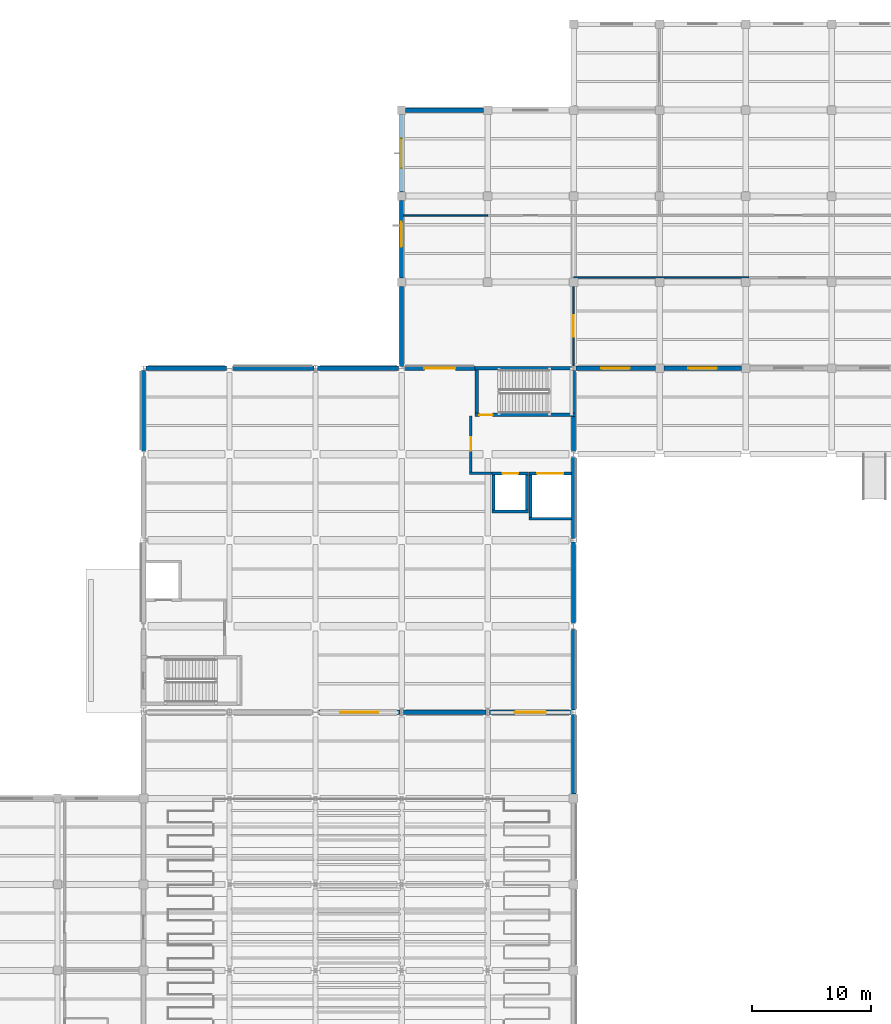
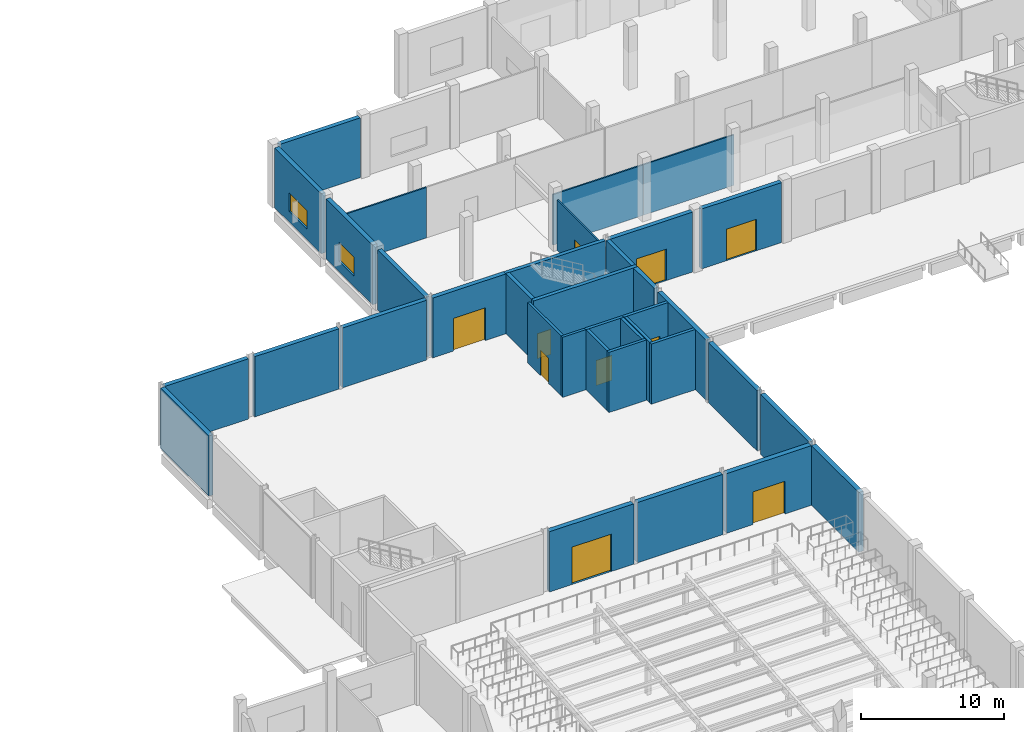
# One storey, part 28 of 46: 36 walls, 9 doors, 3 windows, 12 openings.
"""IFC4 building model written with IfcOpenShell, lengths in metres."""

from ifc_helpers import new_model, si_unit, direction, frame, frame_2d, origin, place, context, subcontext, project, spatial, rectangle, extrude, material, layer, layer_set, type_object, element, fill, save


model = new_model("IFC4")

# Units and contexts
model_context = context("Model", 3, precision=1e-05, world=origin(), true_north=direction((0.0, 1.0)))
body_context = subcontext(model_context, "Body", "Model", "MODEL_VIEW")
ifc_project = project(units=[si_unit("LENGTHUNIT", "METRE"), si_unit("AREAUNIT", "SQUARE_METRE"), si_unit("VOLUMEUNIT", "CUBIC_METRE"), si_unit("PLANEANGLEUNIT", "RADIAN"), si_unit("MASSUNIT", "GRAM", prefix="KILO"), si_unit("THERMODYNAMICTEMPERATUREUNIT", "KELVIN"), si_unit("POWERUNIT", "WATT")], contexts=[model_context])

# Site, building, storey
site_placement = place(None, origin())
site = spatial("IfcSite", under=ifc_project, at=site_placement, CompositionType="ELEMENT")
building_placement = place(site_placement, origin())
building = spatial("IfcBuilding", under=site, at=building_placement, Name="Kaldorven Railside Theatre", CompositionType="ELEMENT")
storey_placement = place(building_placement, origin())
storey = spatial("IfcBuildingStorey", under=building, at=storey_placement, Name="L00", CompositionType="ELEMENT", Elevation=0.0)

# Walls
ifc_material_1 = material(Name="Architectural concrete C40/50", Category="concrete")
ifc_layer_1 = layer(ifc_material_1, 0.3798828125, Name="Architectural concrete C40/50")
ifc_layer_set_1 = layer_set([ifc_layer_1], Name="Architectural concrete C40/50")
wall_type_1 = type_object("IfcWallType", Name="WL-EW02", PredefinedType="SHEAR", material=ifc_layer_set_1)
wall_1_placement = place(storey_placement, frame((123.199951171875, 83.813720703125, 0.0), z_axis=(0.0, 0.0, 1.0), x_axis=(0.0, -1.0, 0.0)))
element("IfcWall", 1, at=wall_1_placement, inside=storey, type_object=wall_type_1, Name="V1 L00 Exterior Wall EW-0239", PredefinedType="SHEAR", context=body_context, shape_type="SweptSolid", body=[
    extrude(rectangle(XDim=6.638671875, YDim=0.3798828125, at=frame_2d((3.3193359375, 0.0))), origin(), (0.0, 0.0, 1.0), 5.10009765625),
])
ifc_material_2 = material(Name="Precast concrete C40/50", Category="concrete")
ifc_layer_2 = layer(ifc_material_2, 0.35009765625, Name="Precast concrete C40/50")
ifc_layer_set_2 = layer_set([ifc_layer_2], Name="Precast concrete C40/50")
wall_type_2 = type_object("IfcWallType", Name="WL-EW03", PredefinedType="SOLIDWALL", material=ifc_layer_set_2)
wall_2_placement = place(storey_placement, frame((87.199951171875, 105.85009765625, 0.0), z_axis=(0.0, 0.0, 1.0), x_axis=(0.0, 1.0, 0.0)))
element("IfcWall", 2, at=wall_2_placement, inside=storey, type_object=wall_type_2, Name="V2 L00 Exterior Wall EW-0272", PredefinedType="SOLIDWALL", context=body_context, shape_type="SweptSolid", body=[
    extrude(rectangle(XDim=6.765869140625, YDim=0.35009765625, at=frame_2d((3.3828125, 0.0))), origin(), (0.0, 0.0, 1.0), 5.14990234375),
])
wall_3_placement = place(storey_placement, frame((87.38623046875, 112.800048828125, 0.0), z_axis=(0.0, 0.0, 1.0), x_axis=(1.0, 0.0, 0.0)))
element("IfcWall", 3, at=wall_3_placement, inside=storey, type_object=wall_type_2, Name="V2 L00 Exterior Wall EW-0273", PredefinedType="SOLIDWALL", context=body_context, shape_type="SweptSolid", body=[
    extrude(rectangle(XDim=6.763671875, YDim=0.35009765625, at=frame_2d((3.3818359375, 0.0))), origin(), (0.0, 0.0, 1.0), 5.14990234375),
])
wall_4_placement = place(storey_placement, frame((94.64990234375, 112.800048828125, 0.0), z_axis=(0.0, 0.0, 1.0), x_axis=(1.0, 0.0, 0.0)))
element("IfcWall", 4, at=wall_4_placement, inside=storey, type_object=wall_type_2, Name="V2 L00 Exterior Wall EW-0274", PredefinedType="SOLIDWALL", context=body_context, shape_type="SweptSolid", body=[
    extrude(rectangle(XDim=6.800048828125, YDim=0.35009765625, at=frame_2d((3.39990234375, 0.0))), origin(), (0.0, 0.0, 1.0), 5.14990234375),
])
wall_5_placement = place(storey_placement, frame((101.75, 112.800048828125, 0.0), z_axis=(0.0, 0.0, 1.0), x_axis=(1.0, 0.0, 0.0)))
element("IfcWall", 5, at=wall_5_placement, inside=storey, type_object=wall_type_2, Name="V2 L00 Exterior Wall EW-0275", PredefinedType="SOLIDWALL", context=body_context, shape_type="SweptSolid", body=[
    extrude(rectangle(XDim=6.800048828125, YDim=0.35009765625, at=frame_2d((3.39990234375, 0.0))), origin(), (0.0, 0.0, 1.0), 5.1201171875),
])

# Wall, opening, door
wall_6_placement = place(storey_placement, frame((109.050048828125, 112.800048828125, 0.0), z_axis=(0.0, 0.0, 1.0), x_axis=(1.0, 0.0, 0.0)))
wall_6 = element("IfcWall", 6, at=wall_6_placement, inside=storey, type_object=wall_type_2, Name="V2 L00 Exterior Wall EW-0276", PredefinedType="SOLIDWALL", context=body_context, shape_type="SweptSolid", body=[
    extrude(rectangle(XDim=5.89990234375, YDim=0.35009765625, at=frame_2d((2.949951171875, 0.0))), origin(), (0.0, 0.0, 1.0), 5.1201171875),
])
opening_1_placement = place(wall_6_placement, frame((1.64990234375, 0.0, 0.0)))
opening_1 = element("IfcOpeningElement", 7, at=opening_1_placement, cuts=wall_6, Name="Opening ID-0080", PredefinedType="OPENING", context=body_context, shape_type="SweptSolid", body=[
    extrude(rectangle(XDim=2.60009765625, YDim=2.800048828125, at=frame_2d((1.300048828125, 1.39990234375))), frame((0.0, 0.18505859375, 0.0), z_axis=(0.0, -1.0, 0.0), x_axis=(1.0, 0.0, 0.0)), (0.0, 0.0, 1.0), 0.3701171875),
])
ifc_material_3 = material(Name="Powder-coated hollow-metal steel", Category="steel")
door_type_1 = type_object("IfcDoorType", Name="DR-ID-STG1", OperationType="NOTDEFINED", PredefinedType="DOOR", material=ifc_material_3)
door_1_placement = place(opening_1_placement, origin())
door_1 = element("IfcDoor", 8, at=door_1_placement, inside=storey, type_object=door_type_1, Name="L00 Stage-to-Backstage Corridor Door", OperationType="DOUBLE_DOOR_SINGLE_SWING", OverallHeight=2.800048828125, OverallWidth=2.60009765625, PredefinedType="DOOR", context=body_context, shape_type="SweptSolid", body=[
    extrude(rectangle(XDim=2.60009765625, YDim=2.800048828125, at=frame_2d((1.300048828125, 1.39990234375))), frame((0.0, 0.02490234375, 0.0), z_axis=(0.0, -1.0, 0.0), x_axis=(1.0, 0.0, 0.0)), (0.0, 0.0, 1.0), 0.050048828125),
])
fill(opening_1, door_1)

# Walls
wall_7_placement = place(storey_placement, frame((123.199951171875, 108.75, 0.0), z_axis=(0.0, 0.0, 1.0), x_axis=(0.0, -1.0, 0.0)))
element("IfcWall", 9, at=wall_7_placement, inside=storey, type_object=wall_type_2, Name="V2 L00 Exterior Wall EW-0277", PredefinedType="SOLIDWALL", context=body_context, shape_type="SweptSolid", body=[
    extrude(rectangle(XDim=2.89990234375, YDim=0.35009765625, at=frame_2d((1.449951171875, 0.0))), origin(), (0.0, 0.0, 1.0), 5.14990234375),
])
for number, where, z_axis, x_axis, name in (
    (10, (123.199951171875, 105.35009765625, 0.0), (0.0, 0.0, 1.0), (0.0, -1.0, 0.0), "V2 L00 Exterior Wall EW-0278"),
    (11, (123.199951171875, 98.25, 0.0), (0.0, 0.0, 1.0), (0.0, -1.0, 0.0), "V2 L00 Exterior Wall EW-0279"),
):
    element("IfcWall", number, at=place(storey_placement, frame(where, z_axis=z_axis, x_axis=x_axis)), inside=storey, type_object=wall_type_2, Name=name, PredefinedType="SOLIDWALL", context=body_context, shape_type="SweptSolid", body=[
        extrude(rectangle(XDim=6.800048828125, YDim=0.35009765625, at=frame_2d((3.39990234375, 0.0))), origin(), (0.0, 0.0, 1.0), 5.14990234375),
    ])
wall_8_placement = place(storey_placement, frame((123.199951171875, 90.949951171875, 0.0), z_axis=(0.0, 0.0, 1.0), x_axis=(0.0, -1.0, 0.0)))
element("IfcWall", 12, at=wall_8_placement, inside=storey, type_object=wall_type_2, Name="V2 L00 Exterior Wall EW-0280", PredefinedType="SOLIDWALL", context=body_context, shape_type="SweptSolid", body=[
    extrude(rectangle(XDim=6.763671875, YDim=0.35009765625, at=frame_2d((3.3818359375, 0.0))), origin(), (0.0, 0.0, 1.0), 5.14990234375),
])
wall_9_placement = place(storey_placement, frame((108.800048828125, 112.949951171875, 0.0), z_axis=(0.0, 0.0, 1.0), x_axis=(0.0, 1.0, 0.0)))
element("IfcWall", 13, at=wall_9_placement, inside=storey, type_object=wall_type_2, Name="V6L L00 Exterior Wall EW-0341", PredefinedType="SOLIDWALL", context=body_context, shape_type="SweptSolid", body=[
    extrude(rectangle(XDim=6.699951171875, YDim=0.35009765625, at=frame_2d((3.35009765625, 0.0))), origin(), (0.0, 0.0, 1.0), 5.1201171875),
])

# Wall, opening, window
wall_10_placement = place(storey_placement, frame((108.800048828125, 120.35009765625, 0.0), z_axis=(0.0, 0.0, 1.0), x_axis=(0.0, 1.0, 0.0)))
wall_10 = element("IfcWall", 14, at=wall_10_placement, inside=storey, type_object=wall_type_2, Name="V6L L00 Exterior Wall EW-0342", PredefinedType="SOLIDWALL", context=body_context, shape_type="SweptSolid", body=[
    extrude(rectangle(XDim=6.5, YDim=0.35009765625, at=frame_2d((3.25, 0.0))), origin(), (0.0, 0.0, 1.0), 5.1201171875),
])
opening_2_placement = place(wall_10_placement, frame((2.60009765625, 0.0, 0.89990234375)))
opening_2 = element("IfcOpeningElement", 15, at=opening_2_placement, cuts=wall_10, Name="Opening WN-048", PredefinedType="OPENING", context=body_context, shape_type="SweptSolid", body=[
    extrude(rectangle(XDim=2.10009765625, YDim=1.60009765625, at=frame_2d((1.050048828125, 0.800048828125))), frame((0.0, 0.18505859375, 0.0), z_axis=(0.0, -1.0, 0.0), x_axis=(1.0, 0.0, 0.0)), (0.0, 0.0, 1.0), 0.3701171875),
])
ifc_material_4 = material(Name="Low-E laminated solar-control glass", Category="glass")
window_type_1 = type_object("IfcWindowType", Name="WN-EW23", PartitioningType="SINGLE_PANEL", PredefinedType="WINDOW", material=ifc_material_4)
window_1_placement = place(opening_2_placement, origin())
window_1 = element("IfcWindow", 16, at=window_1_placement, inside=storey, type_object=window_type_1, Name="Shaded Acoustic Exterior Window WN-048", OverallHeight=1.60009765625, OverallWidth=2.10009765625, PartitioningType="SINGLE_PANEL", PredefinedType="WINDOW", context=body_context, shape_type="SweptSolid", body=[
    extrude(rectangle(XDim=2.10009765625, YDim=1.60009765625, at=frame_2d((1.050048828125, 0.800048828125))), frame((0.0, 0.030029296875, 0.0), z_axis=(0.0, -1.0, 0.0), x_axis=(1.0, 0.0, 0.0)), (0.0, 0.0, 1.0), 0.06005859375),
])
fill(opening_2, window_1)

wall_11_placement = place(storey_placement, frame((108.800048828125, 127.550048828125, 0.0), z_axis=(0.0, 0.0, 1.0), x_axis=(0.0, 1.0, 0.0)))
wall_11 = element("IfcWall", 17, at=wall_11_placement, inside=storey, type_object=wall_type_2, Name="V6L L00 Exterior Wall EW-0343", PredefinedType="SOLIDWALL", context=body_context, shape_type="SweptSolid", body=[
    extrude(rectangle(XDim=6.5, YDim=0.35009765625, at=frame_2d((3.25, 0.0))), origin(), (0.0, 0.0, 1.0), 5.1201171875),
])
opening_3_placement = place(wall_11_placement, frame((2.0, 0.0, 0.89990234375)))
opening_3 = element("IfcOpeningElement", 18, at=opening_3_placement, cuts=wall_11, Name="Opening WN-049", PredefinedType="OPENING", context=body_context, shape_type="SweptSolid", body=[
    extrude(rectangle(XDim=2.5, YDim=1.60009765625, at=frame_2d((1.25, 0.800048828125))), frame((0.0, 0.18505859375, 0.0), z_axis=(0.0, -1.0, 0.0), x_axis=(1.0, 0.0, 0.0)), (0.0, 0.0, 1.0), 0.3701171875),
])
window_type_2 = type_object("IfcWindowType", Name="WN-EW24", PartitioningType="SINGLE_PANEL", PredefinedType="WINDOW", material=ifc_material_4)
window_2_placement = place(opening_3_placement, origin())
window_2 = element("IfcWindow", 19, at=window_2_placement, inside=storey, type_object=window_type_2, Name="Shaded Acoustic Exterior Window WN-049", OverallHeight=1.60009765625, OverallWidth=2.5, PartitioningType="SINGLE_PANEL", PredefinedType="WINDOW", context=body_context, shape_type="SweptSolid", body=[
    extrude(rectangle(XDim=2.5, YDim=1.60009765625, at=frame_2d((1.25, 0.800048828125))), frame((0.0, 0.030029296875, 0.0), z_axis=(0.0, -1.0, 0.0), x_axis=(1.0, 0.0, 0.0)), (0.0, 0.0, 1.0), 0.06005859375),
])
fill(opening_3, window_2)

# Wall
wall_12_placement = place(storey_placement, frame((109.14990234375, 134.39990234375, 0.0), z_axis=(0.0, 0.0, 1.0), x_axis=(1.0, 0.0, 0.0)))
element("IfcWall", 20, at=wall_12_placement, inside=storey, type_object=wall_type_2, Name="V6L L00 Exterior Wall EW-0344", PredefinedType="SOLIDWALL", context=body_context, shape_type="SweptSolid", body=[
    extrude(rectangle(XDim=6.5, YDim=0.35009765625, at=frame_2d((3.25, 0.0))), origin(), (0.0, 0.0, 1.0), 5.1201171875),
])

# Wall, opening, door
wall_13_placement = place(storey_placement, frame((137.25, 112.800048828125, 0.0), z_axis=(0.0, 0.0, 1.0), x_axis=(-1.0, 0.0, 0.0)))
wall_13 = element("IfcWall", 21, at=wall_13_placement, inside=storey, type_object=wall_type_2, Name="V6 L00 Exterior Wall EW-0377", PredefinedType="SOLIDWALL", context=body_context, shape_type="SweptSolid", body=[
    extrude(rectangle(XDim=6.5, YDim=0.35009765625, at=frame_2d((3.25, 0.0))), origin(), (0.0, 0.0, 1.0), 5.1201171875),
])
opening_4_placement = place(wall_13_placement, frame((2.050048828125, 0.0, 0.0)))
opening_4 = element("IfcOpeningElement", 22, at=opening_4_placement, cuts=wall_13, Name="Opening ED-020", PredefinedType="OPENING", context=body_context, shape_type="SweptSolid", body=[
    extrude(rectangle(XDim=2.39990234375, YDim=2.699951171875, at=frame_2d((1.199951171875, 1.35009765625))), frame((0.0, 0.18505859375, 0.0), z_axis=(0.0, -1.0, 0.0), x_axis=(1.0, 0.0, 0.0)), (0.0, 0.0, 1.0), 0.3701171875),
])
door_type_2 = type_object("IfcDoorType", Name="DR-ED11", OperationType="NOTDEFINED", PredefinedType="DOOR", material=ifc_material_3)
door_2_placement = place(opening_4_placement, origin())
door_2 = element("IfcDoor", 23, at=door_2_placement, inside=storey, type_object=door_type_2, Name="Pedestrian Final Exit ED-020", OperationType="DOUBLE_DOOR_SINGLE_SWING", OverallHeight=2.699951171875, OverallWidth=2.39990234375, PredefinedType="DOOR", context=body_context, shape_type="SweptSolid", body=[
    extrude(rectangle(XDim=2.39990234375, YDim=2.699951171875, at=frame_2d((1.199951171875, 1.35009765625))), frame((0.0, 0.02490234375, 0.0), z_axis=(0.0, -1.0, 0.0), x_axis=(1.0, 0.0, 0.0)), (0.0, 0.0, 1.0), 0.050048828125),
])
fill(opening_4, door_2)

wall_14_placement = place(storey_placement, frame((130.050048828125, 112.800048828125, 0.0), z_axis=(0.0, 0.0, 1.0), x_axis=(-1.0, 0.0, 0.0)))
wall_14 = element("IfcWall", 24, at=wall_14_placement, inside=storey, type_object=wall_type_2, Name="V6 L00 Exterior Wall EW-0378", PredefinedType="SOLIDWALL", context=body_context, shape_type="SweptSolid", body=[
    extrude(rectangle(XDim=6.663818359375, YDim=0.35009765625, at=frame_2d((3.33203125, 0.0))), origin(), (0.0, 0.0, 1.0), 5.1201171875),
])
opening_5_placement = place(wall_14_placement, frame((2.1318359375, 0.0, 0.0)))
opening_5 = element("IfcOpeningElement", 25, at=opening_5_placement, cuts=wall_14, Name="Opening ED-021", PredefinedType="OPENING", context=body_context, shape_type="SweptSolid", body=[
    extrude(rectangle(XDim=2.39990234375, YDim=2.699951171875, at=frame_2d((1.199951171875, 1.35009765625))), frame((0.0, 0.18505859375, 0.0), z_axis=(0.0, -1.0, 0.0), x_axis=(1.0, 0.0, 0.0)), (0.0, 0.0, 1.0), 0.3701171875),
])
door_3_placement = place(opening_5_placement, origin())
door_3 = element("IfcDoor", 26, at=door_3_placement, inside=storey, type_object=door_type_2, Name="Pedestrian Final Exit ED-021", OperationType="DOUBLE_DOOR_SINGLE_SWING", OverallHeight=2.699951171875, OverallWidth=2.39990234375, PredefinedType="DOOR", context=body_context, shape_type="SweptSolid", body=[
    extrude(rectangle(XDim=2.39990234375, YDim=2.699951171875, at=frame_2d((1.199951171875, 1.35009765625))), frame((0.0, 0.02490234375, 0.0), z_axis=(0.0, -1.0, 0.0), x_axis=(1.0, 0.0, 0.0)), (0.0, 0.0, 1.0), 0.050048828125),
])
fill(opening_5, door_3)

ifc_material_5 = material(Name="Concrete C40/50", Category="concrete")
ifc_layer_3 = layer(ifc_material_5, 0.300048828125, Name="Concrete C40/50")
ifc_layer_set_3 = layer_set([ifc_layer_3], Name="Concrete C40/50")
wall_type_3 = type_object("IfcWallType", Name="WL-IW-CORE", PredefinedType="SHEAR", material=ifc_layer_set_3)
wall_15_placement = place(storey_placement, frame((123.35009765625, 108.89990234375, 0.0), z_axis=(0.0, 0.0, 1.0), x_axis=(-1.0, 0.0, 0.0)))
wall_15 = element("IfcWall", 27, at=wall_15_placement, inside=storey, type_object=wall_type_3, Name="L00 Core Wall CW-0201", PredefinedType="SHEAR", context=body_context, shape_type="SweptSolid", body=[
    extrude(rectangle(XDim=8.400146484375, YDim=0.300048828125, at=frame_2d((4.2001953125, 0.0))), origin(), (0.0, 0.0, 1.0), 5.14990234375),
])
opening_6_placement = place(wall_15_placement, frame((6.929931640625, 0.0, 0.0)))
opening_6 = element("IfcOpeningElement", 28, at=opening_6_placement, cuts=wall_15, Name="Opening ID-0033", PredefinedType="OPENING", context=body_context, shape_type="SweptSolid", body=[
    extrude(rectangle(XDim=1.10009765625, YDim=2.14990234375, at=frame_2d((0.550048828125, 1.074951171875))), frame((0.0, 0.16015625, 0.0), z_axis=(0.0, -1.0, 0.0), x_axis=(1.0, 0.0, 0.0)), (0.0, 0.0, 1.0), 0.320068359375),
])
ifc_material_6 = material(Name="Acoustic hardwood timber", Category="wood")
door_type_3 = type_object("IfcDoorType", Name="DR-ID-FD60", OperationType="NOTDEFINED", PredefinedType="DOOR", material=ifc_material_6)
door_4_placement = place(opening_6_placement, origin())
door_4 = element("IfcDoor", 29, at=door_4_placement, inside=storey, type_object=door_type_3, Name="Stair ST-06 Fire Door", OperationType="SINGLE_SWING_LEFT", OverallHeight=2.14990234375, OverallWidth=1.10009765625, PredefinedType="DOOR", context=body_context, shape_type="SweptSolid", body=[
    extrude(rectangle(XDim=1.10009765625, YDim=2.14990234375, at=frame_2d((0.550048828125, 1.074951171875))), frame((0.0, 0.02490234375, 0.0), z_axis=(0.0, -1.0, 0.0), x_axis=(1.0, 0.0, 0.0)), (0.0, 0.0, 1.0), 0.050048828125),
])
fill(opening_6, door_4)

# Walls
wall_16_placement = place(storey_placement, frame((115.10009765625, 109.052001953125, 0.0), z_axis=(0.0, 0.0, 1.0), x_axis=(0.0, 1.0, 0.0)))
element("IfcWall", 30, at=wall_16_placement, inside=storey, type_object=wall_type_3, Name="L00 Core Wall CW-0202", PredefinedType="SHEAR", context=body_context, shape_type="SweptSolid", body=[
    extrude(rectangle(XDim=3.597900390625, YDim=0.300048828125, at=frame_2d((1.798828125, 0.0))), origin(), (0.0, 0.0, 1.0), 5.14990234375),
])
wall_17_placement = place(storey_placement, frame((114.949951171875, 112.800048828125, 0.0), z_axis=(0.0, 0.0, 1.0), x_axis=(1.0, 0.0, 0.0)))
element("IfcWall", 31, at=wall_17_placement, inside=storey, type_object=wall_type_3, Name="L00 Core Wall CW-0203", PredefinedType="SHEAR", context=body_context, shape_type="SweptSolid", body=[
    extrude(rectangle(XDim=8.063720703125, YDim=0.300048828125, at=frame_2d((4.03173828125, 0.0))), origin(), (0.0, 0.0, 1.0), 5.1201171875),
])
wall_18_placement = place(storey_placement, frame((123.199951171875, 112.615966796875, 0.0), z_axis=(0.0, 0.0, 1.0), x_axis=(0.0, -1.0, 0.0)))
element("IfcWall", 32, at=wall_18_placement, inside=storey, type_object=wall_type_3, Name="L00 Core Wall CW-0204", PredefinedType="SHEAR", context=body_context, shape_type="SweptSolid", body=[
    extrude(rectangle(XDim=3.56396484375, YDim=0.300048828125, at=frame_2d((1.781982421875, 0.0))), origin(), (0.0, 0.0, 1.0), 5.14990234375),
])
ifc_material_7 = material(Name="Concrete C35/45", Category="concrete")
ifc_layer_4 = layer(ifc_material_7, 0.199951171875, Name="Concrete C35/45")
ifc_layer_set_4 = layer_set([ifc_layer_4], Name="Concrete C35/45")
wall_type_4 = type_object("IfcWallType", Name="WL-IW-FF", PredefinedType="PARTITIONING", material=ifc_layer_set_4)
wall_19_placement = place(storey_placement, frame((116.3798828125, 104.0, 0.0), z_axis=(0.0, 0.0, 1.0), x_axis=(-1.0, 0.0, 0.0)))
element("IfcWall", 33, at=wall_19_placement, inside=storey, type_object=wall_type_4, Name="L00 Interior Wall FFW-0277", PredefinedType="PARTITIONING", context=body_context, shape_type="SweptSolid", body=[
    extrude(rectangle(XDim=1.8798828125, YDim=0.199951171875, at=frame_2d((0.93994140625, 0.0))), origin(), (0.0, 0.0, 1.0), 5.14990234375),
])

# Wall, opening, door
wall_20_placement = place(storey_placement, frame((114.60009765625, 104.10205078125, 0.0), z_axis=(0.0, 0.0, 1.0), x_axis=(0.0, 1.0, 0.0)))
wall_20 = element("IfcWall", 34, at=wall_20_placement, inside=storey, type_object=wall_type_4, Name="L00 Interior Wall FFW-0278", PredefinedType="PARTITIONING", context=body_context, shape_type="SweptSolid", body=[
    extrude(rectangle(XDim=4.697998046875, YDim=0.199951171875, at=frame_2d((2.34912109375, 0.0))), origin(), (0.0, 0.0, 1.0), 5.14990234375),
])
opening_7_placement = place(wall_20_placement, frame((1.77392578125, 0.0, 0.0)))
opening_7 = element("IfcOpeningElement", 35, at=opening_7_placement, cuts=wall_20, Name="Opening ID-0040", PredefinedType="OPENING", context=body_context, shape_type="SweptSolid", body=[
    extrude(rectangle(XDim=1.14990234375, YDim=2.14990234375, at=frame_2d((0.574951171875, 1.074951171875))), frame((0.0, 0.10986328125, 0.0), z_axis=(0.0, -1.0, 0.0), x_axis=(1.0, 0.0, 0.0)), (0.0, 0.0, 1.0), 0.219970703125),
])
door_type_4 = type_object("IfcDoorType", Name="DR-ID-FD120", OperationType="NOTDEFINED", PredefinedType="DOOR", material=ifc_material_3)
door_5_placement = place(opening_7_placement, origin())
door_5 = element("IfcDoor", 36, at=door_5_placement, inside=storey, type_object=door_type_4, Name="Firefighting Lobby C-STE Door", OperationType="SINGLE_SWING_RIGHT", OverallHeight=2.14990234375, OverallWidth=1.14990234375, PredefinedType="DOOR", context=body_context, shape_type="SweptSolid", body=[
    extrude(rectangle(XDim=1.14990234375, YDim=2.14990234375, at=frame_2d((0.574951171875, 1.074951171875))), frame((0.0, 0.02490234375, 0.0), z_axis=(0.0, -1.0, 0.0), x_axis=(1.0, 0.0, 0.0)), (0.0, 0.0, 1.0), 0.050048828125),
])
fill(opening_7, door_5)

ifc_layer_5 = layer(ifc_material_5, 0.39990234375, Name="Concrete C40/50")
ifc_layer_set_5 = layer_set([ifc_layer_5], Name="Concrete C40/50")
wall_type_5 = type_object("IfcWallType", Name="WL-IW-PROSC", PredefinedType="SHEAR", material=ifc_layer_set_5)
wall_21_placement = place(storey_placement, frame((101.85009765625, 84.0, 0.0), z_axis=(0.0, 0.0, 1.0), x_axis=(1.0, 0.0, 0.0)))
wall_21 = element("IfcWall", 37, at=wall_21_placement, inside=storey, type_object=wall_type_5, Name="L00 Interior Wall PW-0332", PredefinedType="SHEAR", context=body_context, shape_type="SweptSolid", body=[
    extrude(rectangle(XDim=6.7998046875, YDim=0.39990234375, at=frame_2d((3.39990234375, 0.0))), origin(), (0.0, 0.0, 1.0), 5.14990234375),
])
opening_8_placement = place(wall_21_placement, frame((1.800048828125, 0.0, 0.0)))
opening_8 = element("IfcOpeningElement", 38, at=opening_8_placement, cuts=wall_21, Name="Opening ID-0056", PredefinedType="OPENING", context=body_context, shape_type="SweptSolid", body=[
    extrude(rectangle(XDim=3.199951171875, YDim=3.199951171875, at=frame_2d((1.60009765625, 1.60009765625))), frame((0.0, 0.2099609375, 0.0), z_axis=(0.0, -1.0, 0.0), x_axis=(1.0, 0.0, 0.0)), (0.0, 0.0, 1.0), 0.419921875),
])
door_type_5 = type_object("IfcDoorType", Name="DR-ID-STG2", OperationType="NOTDEFINED", PredefinedType="DOOR", material=ifc_material_3)
door_6_placement = place(opening_8_placement, origin())
door_6 = element("IfcDoor", 39, at=door_6_placement, inside=storey, type_object=door_type_5, Name="Main Stage Proscenium Portal", OperationType="DOUBLE_DOOR_SINGLE_SWING", OverallHeight=3.199951171875, OverallWidth=3.199951171875, PredefinedType="DOOR", context=body_context, shape_type="SweptSolid", body=[
    extrude(rectangle(XDim=3.199951171875, YDim=3.199951171875, at=frame_2d((1.60009765625, 1.60009765625))), frame((0.0, 0.02490234375, 0.0), z_axis=(0.0, -1.0, 0.0), x_axis=(1.0, 0.0, 0.0)), (0.0, 0.0, 1.0), 0.050048828125),
])
fill(opening_8, door_6)

# Wall
wall_22_placement = place(storey_placement, frame((108.949951171875, 84.0, 0.0), z_axis=(0.0, 0.0, 1.0), x_axis=(1.0, 0.0, 0.0)))
element("IfcWall", 40, at=wall_22_placement, inside=storey, type_object=wall_type_5, Name="L00 Interior Wall PW-0333", PredefinedType="SHEAR", context=body_context, shape_type="SweptSolid", body=[
    extrude(rectangle(XDim=6.900146484375, YDim=0.39990234375, at=frame_2d((3.4501953125, 0.0))), origin(), (0.0, 0.0, 1.0), 5.14990234375),
])

# Wall, opening, door
wall_23_placement = place(storey_placement, frame((116.14990234375, 84.0, 0.0), z_axis=(0.0, 0.0, 1.0), x_axis=(1.0, 0.0, 0.0)))
wall_23 = element("IfcWall", 41, at=wall_23_placement, inside=storey, type_object=wall_type_5, Name="L00 Interior Wall PW-0334", PredefinedType="SHEAR", context=body_context, shape_type="SweptSolid", body=[
    extrude(rectangle(XDim=6.865966796875, YDim=0.39990234375, at=frame_2d((3.43310546875, 0.0))), origin(), (0.0, 0.0, 1.0), 5.10009765625),
])
opening_9_placement = place(wall_23_placement, frame((2.1328125, 0.0, 0.0)))
opening_9 = element("IfcOpeningElement", 42, at=opening_9_placement, cuts=wall_23, Name="Opening ID-0057", PredefinedType="OPENING", context=body_context, shape_type="SweptSolid", body=[
    extrude(rectangle(XDim=2.60009765625, YDim=2.800048828125, at=frame_2d((1.300048828125, 1.39990234375))), frame((0.0, 0.2099609375, 0.0), z_axis=(0.0, -1.0, 0.0), x_axis=(1.0, 0.0, 0.0)), (0.0, 0.0, 1.0), 0.419921875),
])
door_7_placement = place(opening_9_placement, origin())
door_7 = element("IfcDoor", 43, at=door_7_placement, inside=storey, type_object=door_type_1, Name="Main Stage Proscenium Portal", OperationType="DOUBLE_DOOR_SINGLE_SWING", OverallHeight=2.800048828125, OverallWidth=2.60009765625, PredefinedType="DOOR", context=body_context, shape_type="SweptSolid", body=[
    extrude(rectangle(XDim=2.60009765625, YDim=2.800048828125, at=frame_2d((1.300048828125, 1.39990234375))), frame((0.0, 0.02490234375, 0.0), z_axis=(0.0, -1.0, 0.0), x_axis=(1.0, 0.0, 0.0)), (0.0, 0.0, 1.0), 0.050048828125),
])
fill(opening_9, door_7)

# Walls
ifc_material_8 = material(Name="Fire-rated acoustic gypsum board")
ifc_layer_6 = layer(ifc_material_8, 0.1201171875, Name="Fire-rated acoustic gypsum board")
ifc_layer_set_6 = layer_set([ifc_layer_6], Name="Fire-rated acoustic gypsum board")
wall_type_6 = type_object("IfcWallType", Name="WL-IW-PT1", PredefinedType="PARTITIONING", material=ifc_layer_set_6)
wall_24_placement = place(storey_placement, frame((108.97705078125, 125.60009765625, 0.0), z_axis=(0.0, 0.0, 1.0), x_axis=(1.0, 0.0, 0.0)))
element("IfcWall", 44, at=wall_24_placement, inside=storey, type_object=wall_type_6, Name="L00 Interior Wall IW-0495", PredefinedType="PARTITIONING", context=body_context, shape_type="SweptSolid", body=[
    extrude(rectangle(XDim=7.02294921875, YDim=0.1201171875, at=frame_2d((3.511474609375, 0.0))), origin(), (0.0, 0.0, 1.0), 4.31494140625),
])
wall_25_placement = place(storey_placement, frame((137.85009765625, 120.39990234375, 0.0), z_axis=(0.0, 0.0, 1.0), x_axis=(-1.0, 0.0, 0.0)))
element("IfcWall", 45, at=wall_25_placement, inside=storey, type_object=wall_type_6, Name="L00 Interior Wall IW-0518", PredefinedType="PARTITIONING", context=body_context, shape_type="SweptSolid", body=[
    extrude(rectangle(XDim=7.3251953125, YDim=0.1201171875, at=frame_2d((3.66259765625, 0.0))), origin(), (0.0, 0.0, 1.0), 4.31494140625),
])
wall_26_placement = place(storey_placement, frame((130.52490234375, 120.39990234375, 0.0), z_axis=(0.0, 0.0, 1.0), x_axis=(-1.0, 0.0, 0.0)))
element("IfcWall", 46, at=wall_26_placement, inside=storey, type_object=wall_type_6, Name="L00 Interior Wall IW-0519", PredefinedType="PARTITIONING", context=body_context, shape_type="SweptSolid", body=[
    extrude(rectangle(XDim=7.324951171875, YDim=0.1201171875, at=frame_2d((3.66259765625, 0.0))), origin(), (0.0, 0.0, 1.0), 4.31494140625),
])

# Wall, opening, window
wall_27_placement = place(storey_placement, frame((123.199951171875, 119.64990234375, 0.0), z_axis=(0.0, 0.0, 1.0), x_axis=(0.0, -1.0, 0.0)))
wall_27 = element("IfcWall", 47, at=wall_27_placement, inside=storey, type_object=wall_type_6, Name="L00 Interior Wall IW-0520", PredefinedType="PARTITIONING", context=body_context, shape_type="SweptSolid", body=[
    extrude(rectangle(XDim=6.665771484375, YDim=0.1201171875, at=frame_2d((3.3330078125, 0.0))), origin(), (0.0, 0.0, 1.0), 4.31494140625),
])
opening_10_placement = place(wall_27_placement, frame((2.43310546875, 0.0, 1.10009765625)))
opening_10 = element("IfcOpeningElement", 48, at=opening_10_placement, cuts=wall_27, Name="Opening IWN-014", PredefinedType="OPENING", context=body_context, shape_type="SweptSolid", body=[
    extrude(rectangle(XDim=1.800048828125, YDim=1.300048828125, at=frame_2d((0.89990234375, 0.64990234375))), frame((0.0, 0.070068359375, 0.0), z_axis=(0.0, -1.0, 0.0), x_axis=(1.0, 0.0, 0.0)), (0.0, 0.0, 1.0), 0.14013671875),
])
window_type_3 = type_object("IfcWindowType", Name="WN-IW06", PartitioningType="SINGLE_PANEL", PredefinedType="WINDOW", material=ifc_material_4)
window_3_placement = place(opening_10_placement, origin())
window_3 = element("IfcWindow", 49, at=window_3_placement, inside=storey, type_object=window_type_3, Name="Acoustic Observation Window IWN-014", OverallHeight=1.300048828125, OverallWidth=1.800048828125, PartitioningType="SINGLE_PANEL", PredefinedType="WINDOW", context=body_context, shape_type="SweptSolid", body=[
    extrude(rectangle(XDim=1.800048828125, YDim=1.300048828125, at=frame_2d((0.89990234375, 0.64990234375))), frame((0.0, 0.030029296875, 0.0), z_axis=(0.0, -1.0, 0.0), x_axis=(1.0, 0.0, 0.0)), (0.0, 0.0, 1.0), 0.06005859375),
])
fill(opening_10, window_3)

# Walls
ifc_layer_7 = layer(ifc_material_5, 0.239990234375, Name="Concrete C40/50")
ifc_layer_set_7 = layer_set([ifc_layer_7], Name="Concrete C40/50")
wall_type_7 = type_object("IfcWallType", Name="WL-IW-SHAFT", PredefinedType="SHEAR", material=ifc_layer_set_7)
wall_28_placement = place(storey_placement, frame((119.419921875, 100.800048828125, 0.0), z_axis=(0.0, 0.0, 1.0), x_axis=(-1.0, 0.0, 0.0)))
element("IfcWall", 50, at=wall_28_placement, inside=storey, type_object=wall_type_7, Name="L00 Interior Wall SW-0229", PredefinedType="SHEAR", context=body_context, shape_type="SweptSolid", body=[
    extrude(rectangle(XDim=3.0400390625, YDim=0.239990234375, at=frame_2d((1.52001953125, 0.0))), origin(), (0.0, 0.0, 1.0), 5.14990234375),
])
wall_29_placement = place(storey_placement, frame((116.5, 100.922119140625, 0.0), z_axis=(0.0, 0.0, 1.0), x_axis=(0.0, 1.0, 0.0)))
element("IfcWall", 51, at=wall_29_placement, inside=storey, type_object=wall_type_7, Name="L00 Interior Wall SW-0230", PredefinedType="SHEAR", context=body_context, shape_type="SweptSolid", body=[
    extrude(rectangle(XDim=2.957763671875, YDim=0.239990234375, at=frame_2d((1.47900390625, 0.0))), origin(), (0.0, 0.0, 1.0), 5.14990234375),
])

# Wall, opening, door
wall_30_placement = place(storey_placement, frame((116.3798828125, 104.0, 0.0), z_axis=(0.0, 0.0, 1.0), x_axis=(1.0, 0.0, 0.0)))
wall_30 = element("IfcWall", 52, at=wall_30_placement, inside=storey, type_object=wall_type_7, Name="L00 Interior Wall SW-0231", PredefinedType="SHEAR", context=body_context, shape_type="SweptSolid", body=[
    extrude(rectangle(XDim=3.0400390625, YDim=0.239990234375, at=frame_2d((1.52001953125, 0.0))), origin(), (0.0, 0.0, 1.0), 5.14990234375),
])
opening_11_placement = place(wall_30_placement, frame((0.8701171875, 0.0, 0.0)))
opening_11 = element("IfcOpeningElement", 53, at=opening_11_placement, cuts=wall_30, Name="Opening LD-024", PredefinedType="OPENING", context=body_context, shape_type="SweptSolid", body=[
    extrude(rectangle(XDim=1.300048828125, YDim=2.14990234375, at=frame_2d((0.64990234375, 1.074951171875))), frame((0.0, 0.1298828125, 0.0), z_axis=(0.0, -1.0, 0.0), x_axis=(1.0, 0.0, 0.0)), (0.0, 0.0, 1.0), 0.260009765625),
])
door_type_6 = type_object("IfcDoorType", Name="DR-LD-FF", OperationType="NOTDEFINED", PredefinedType="DOOR", material=ifc_material_3)
door_8_placement = place(opening_11_placement, origin())
door_8 = element("IfcDoor", 54, at=door_8_placement, inside=storey, type_object=door_type_6, Name="Lift LF-FF2 Sliding Landing Door", OperationType="DOUBLE_DOOR_SLIDING", OverallHeight=2.14990234375, OverallWidth=1.300048828125, PredefinedType="DOOR", context=body_context, shape_type="SweptSolid", body=[
    extrude(rectangle(XDim=1.300048828125, YDim=2.14990234375, at=frame_2d((0.64990234375, 1.074951171875))), frame((0.0, 0.02490234375, 0.0), z_axis=(0.0, -1.0, 0.0), x_axis=(1.0, 0.0, 0.0)), (0.0, 0.0, 1.0), 0.050048828125),
])
fill(opening_11, door_8)

# Walls
wall_31_placement = place(storey_placement, frame((119.300048828125, 103.8779296875, 0.0), z_axis=(0.0, 0.0, 1.0), x_axis=(0.0, -1.0, 0.0)))
element("IfcWall", 55, at=wall_31_placement, inside=storey, type_object=wall_type_7, Name="L00 Interior Wall SW-0232", PredefinedType="SHEAR", context=body_context, shape_type="SweptSolid", body=[
    extrude(rectangle(XDim=2.955810546875, YDim=0.239990234375, at=frame_2d((1.47802734375, 0.0))), origin(), (0.0, 0.0, 1.0), 5.14990234375),
])
wall_32_placement = place(storey_placement, frame((123.02294921875, 100.199951171875, 0.0), z_axis=(0.0, 0.0, 1.0), x_axis=(-1.0, 0.0, 0.0)))
element("IfcWall", 56, at=wall_32_placement, inside=storey, type_object=wall_type_7, Name="L00 Interior Wall SW-0256", PredefinedType="SHEAR", context=body_context, shape_type="SweptSolid", body=[
    extrude(rectangle(XDim=3.56298828125, YDim=0.239990234375, at=frame_2d((1.781494140625, 0.0))), origin(), (0.0, 0.0, 1.0), 5.14990234375),
])
wall_33_placement = place(storey_placement, frame((119.580078125, 100.322021484375, 0.0), z_axis=(0.0, 0.0, 1.0), x_axis=(0.0, 1.0, 0.0)))
element("IfcWall", 57, at=wall_33_placement, inside=storey, type_object=wall_type_7, Name="L00 Interior Wall SW-0257", PredefinedType="SHEAR", context=body_context, shape_type="SweptSolid", body=[
    extrude(rectangle(XDim=3.557861328125, YDim=0.239990234375, at=frame_2d((1.77880859375, 0.0))), origin(), (0.0, 0.0, 1.0), 5.14990234375),
])

# Wall, opening, door
wall_34_placement = place(storey_placement, frame((119.4599609375, 104.0, 0.0), z_axis=(0.0, 0.0, 1.0), x_axis=(1.0, 0.0, 0.0)))
wall_34 = element("IfcWall", 58, at=wall_34_placement, inside=storey, type_object=wall_type_7, Name="L00 Interior Wall SW-0258", PredefinedType="SHEAR", context=body_context, shape_type="SweptSolid", body=[
    extrude(rectangle(XDim=3.56298828125, YDim=0.239990234375, at=frame_2d((1.781494140625, 0.0))), origin(), (0.0, 0.0, 1.0), 5.14990234375),
])
opening_12_placement = place(wall_34_placement, frame((0.681396484375, 0.0, 0.0)))
opening_12 = element("IfcOpeningElement", 59, at=opening_12_placement, cuts=wall_34, Name="Opening LD-031", PredefinedType="OPENING", context=body_context, shape_type="SweptSolid", body=[
    extrude(rectangle(XDim=2.199951171875, YDim=2.5, at=frame_2d((1.10009765625, 1.25))), frame((0.0, 0.1298828125, 0.0), z_axis=(0.0, -1.0, 0.0), x_axis=(1.0, 0.0, 0.0)), (0.0, 0.0, 1.0), 0.260009765625),
])
door_type_7 = type_object("IfcDoorType", Name="DR-LD-GOODS", OperationType="NOTDEFINED", PredefinedType="DOOR", material=ifc_material_3)
door_9_placement = place(opening_12_placement, origin())
door_9 = element("IfcDoor", 60, at=door_9_placement, inside=storey, type_object=door_type_7, Name="Lift LF-G1 Sliding Landing Door", OperationType="DOUBLE_DOOR_SLIDING", OverallHeight=2.5, OverallWidth=2.199951171875, PredefinedType="DOOR", context=body_context, shape_type="SweptSolid", body=[
    extrude(rectangle(XDim=2.199951171875, YDim=2.5, at=frame_2d((1.10009765625, 1.25))), frame((0.0, 0.02490234375, 0.0), z_axis=(0.0, -1.0, 0.0), x_axis=(1.0, 0.0, 0.0)), (0.0, 0.0, 1.0), 0.050048828125),
])
fill(opening_12, door_9)

save(model, "model.ifc")
